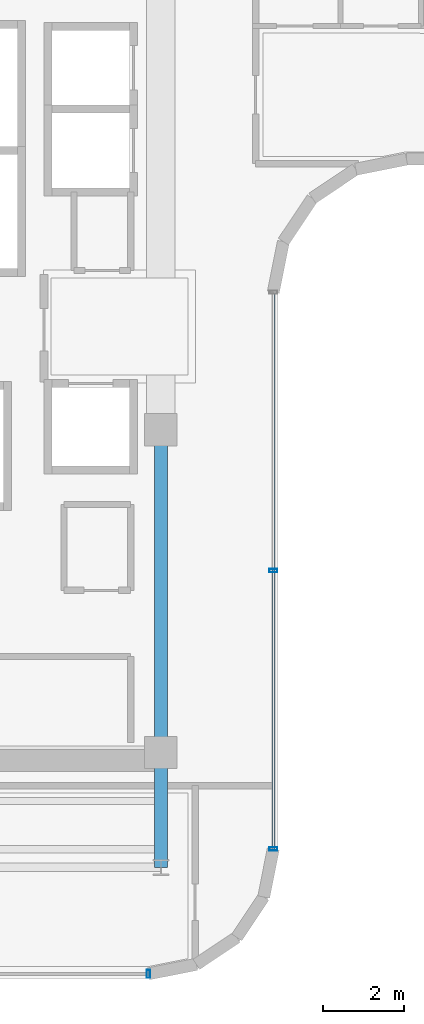
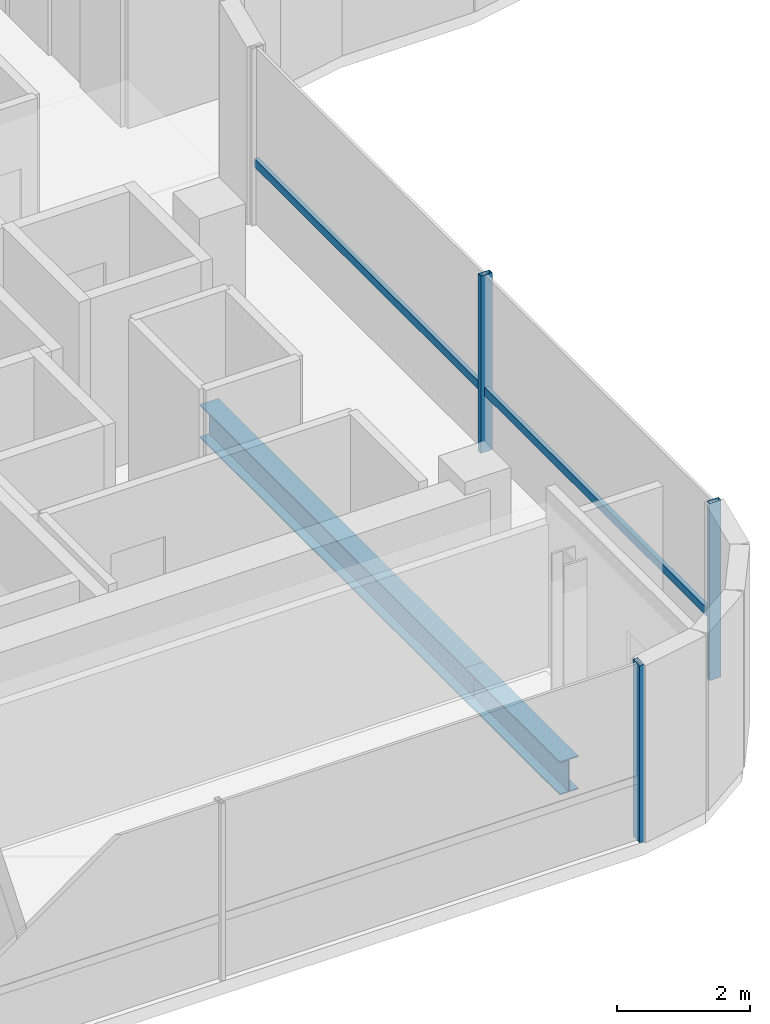
# One storey, part 5 of 19: 4 members, 2 beams, 2 elements without a shape of their own.
"""IFC4 building model written with IfcOpenShell, lengths in metres."""

from ifc_helpers import new_model, si_unit, direction, frame, origin, origin_2d, place, context, subcontext, project, spatial, hollow_rectangle, i_section, extrude, source, transform, mapped, material, material_profile, profile_set, type_object, element, aggregate, save


model = new_model("IFC4")

# Units and contexts
model_context = context("Model", 3, precision=1e-05, world=origin(), true_north=direction((0.0, 1.0)))
body_context = subcontext(model_context, "Body", "Model", "MODEL_VIEW")
ifc_project = project(units=[si_unit("LENGTHUNIT", "METRE"), si_unit("AREAUNIT", "SQUARE_METRE"), si_unit("VOLUMEUNIT", "CUBIC_METRE"), si_unit("PLANEANGLEUNIT", "RADIAN"), si_unit("MASSUNIT", "GRAM", prefix="KILO")], contexts=[model_context])

# Site, building, storey
site_placement = place(None, origin())
site = spatial("IfcSite", under=ifc_project, at=site_placement, CompositionType="ELEMENT")
building_placement = place(site_placement, origin())
building = spatial("IfcBuilding", under=site, at=building_placement, Name="Valdorenza Pilgrim Sanctuary Tower", CompositionType="ELEMENT")
storey_placement = place(building_placement, frame((0.0, 0.0, 269.5)))
storey = spatial("IfcBuildingStorey", under=building, at=storey_placement, Name="L70", CompositionType="ELEMENT", Elevation=269.5)

# Beams
ifc_material_1 = material(Name="Steel ASTM A992 Grade 50", Category="steel")
ifc_material_profile_1 = material_profile(ifc_material_1, i_section(OverallWidth=0.323974609375, OverallDepth=0.611083984375, WebThickness=0.0126953125, FlangeThickness=0.01904296875, at=origin_2d()), Name="W24X104")
ifc_profile_set_1 = profile_set([ifc_material_profile_1], Name="Steel ASTM A992 Grade 50")
beam_type = type_object("IfcBeamType", Name="STR-BM-GRD-W24B", PredefinedType="BEAM", material=ifc_profile_set_1)
shared_shape_1 = source(origin(), body_context, "Body", "SweptSolid", [
    extrude(i_section(OverallWidth=0.323974609375, OverallDepth=0.611083984375, WebThickness=0.0126953125, FlangeThickness=0.01904296875, at=origin_2d()), origin(), (0.0, 0.0, 1.0), 8.0),
])
beam_1_placement = place(storey_placement, frame((-12.39990234375, -10.60009765625, -0.54541015625), z_axis=(0.0, 1.0, 0.0), x_axis=(-1.0, 0.0, 0.0)))
element("IfcBeam", 1, at=beam_1_placement, inside=storey, type_object=beam_type, Name="L70 Core Tie Girder CA-E-S1M0", PredefinedType="BEAM", context=body_context, shape_type="MappedRepresentation", body=[
    mapped(shared_shape_1, transform((0.0, 0.0, 0.0), x_axis=(1.0, 0.0, 0.0), y_axis=(0.0, 1.0, 0.0), z_axis=(0.0, 0.0, 1.0), scale=1.0)),
])
shared_shape_2 = source(origin(), body_context, "Body", "SweptSolid", [
    extrude(i_section(OverallWidth=0.323974609375, OverallDepth=0.611083984375, WebThickness=0.0126953125, FlangeThickness=0.01904296875, at=origin_2d()), origin(), (0.0, 0.0, 1.0), 2.849853515625),
])
beam_2_placement = place(storey_placement, frame((-12.39990234375, -13.449951171875, -0.54541015625), z_axis=(0.0, 1.0, 0.0), x_axis=(-1.0, 0.0, 0.0)))
element("IfcBeam", 2, at=beam_2_placement, inside=storey, type_object=beam_type, Name="L70 Floor Girder WA-S-LE", PredefinedType="BEAM", context=body_context, shape_type="MappedRepresentation", body=[
    mapped(shared_shape_2, transform((0.0, 0.0, 0.0), x_axis=(1.0, 0.0, 0.0), y_axis=(0.0, 1.0, 0.0), z_axis=(0.0, 0.0, 1.0), scale=1.0)),
])

# Curtain wall, members
ifc_material_2 = material(Name="Curtain-wall IGU glazing", Category="glass")
curtain_wall_type = type_object("IfcCurtainWallType", Name="CW-SYS-02", PredefinedType="NOTDEFINED", material=ifc_material_2)
curtain_wall_1_placement = place(storey_placement, origin())
curtain_wall_1 = element("IfcCurtainWall", 3, at=curtain_wall_1_placement, inside=storey, type_object=curtain_wall_type, Name="L70 Curtain Wall CW-L70-1-21", PredefinedType="NOTDEFINED")
ifc_material_3 = material(Name="Anodised aluminium AW-6060", Category="aluminium")
ifc_material_profile_2 = material_profile(ifc_material_3, hollow_rectangle(XDim=0.0849609375, YDim=0.199951171875, WallThickness=0.0048828125, at=origin_2d()), Name="ALU-M 200x85x5")
ifc_profile_set_2 = profile_set([ifc_material_profile_2], Name="Anodised aluminium AW-6060")
member_type_1 = type_object("IfcMemberType", Name="CW-MUL-02", PredefinedType="MULLION", material=ifc_profile_set_2)
shared_shape_3 = source(origin(), body_context, "Body", "SweptSolid", [
    extrude(hollow_rectangle(XDim=0.0849609375, YDim=0.199951171875, WallThickness=0.0048828125, at=origin_2d()), origin(), (0.0, 0.0, 1.0), 3.260009765625),
])
member_1_placement = place(storey_placement, frame((-9.610107421875, -6.089111328125, 0.0), z_axis=(0.0, 0.0, 1.0), x_axis=(0.0, -1.0, 0.0)))
member_1 = element("IfcMember", 4, at=member_1_placement, type_object=member_type_1, Name="CW-L70-1-21 Mullion 2", PredefinedType="MULLION", context=body_context, shape_type="MappedRepresentation", body=[
    mapped(shared_shape_3, transform((0.0, 0.0, 0.0), x_axis=(1.0, 0.0, 0.0), y_axis=(0.0, 1.0, 0.0), z_axis=(0.0, 0.0, 1.0), scale=1.0)),
])
member_2_placement = place(storey_placement, frame((-9.610107421875, -12.9892578125, 0.0), z_axis=(0.0, 0.0, 1.0), x_axis=(0.0, -1.0, 0.0)))
member_2 = element("IfcMember", 5, at=member_2_placement, type_object=member_type_1, Name="CW-L70-1-21 Mullion 3", PredefinedType="MULLION", context=body_context, shape_type="MappedRepresentation", body=[
    mapped(shared_shape_3, transform((0.0, 0.0, 0.0), x_axis=(1.0, 0.0, 0.0), y_axis=(0.0, 1.0, 0.0), z_axis=(0.0, 0.0, 1.0), scale=1.0)),
])

# Curtain wall, member
curtain_wall_2_placement = place(storey_placement, origin())
curtain_wall_2 = element("IfcCurtainWall", 6, at=curtain_wall_2_placement, inside=storey, type_object=curtain_wall_type, Name="L70 Curtain Wall CW-L70-1-26", PredefinedType="NOTDEFINED")
member_3_placement = place(storey_placement, frame((-12.710693359375, -16.090087890625, 0.0), z_axis=(0.0, 0.0, 1.0), x_axis=(-1.0, 0.0, 0.0)))
member_3 = element("IfcMember", 7, at=member_3_placement, type_object=member_type_1, Name="CW-L70-1-26 Mullion 1", PredefinedType="MULLION", context=body_context, shape_type="MappedRepresentation", body=[
    mapped(shared_shape_3, transform((0.0, 0.0, 0.0), x_axis=(1.0, 0.0, 0.0), y_axis=(0.0, 1.0, 0.0), z_axis=(0.0, 0.0, 1.0), scale=1.0)),
])
aggregate(curtain_wall_2, [member_3])

# Member
ifc_material_profile_3 = material_profile(ifc_material_3, hollow_rectangle(XDim=0.074951171875, YDim=0.14990234375, WallThickness=0.00390625, at=origin_2d()), Name="ALU-T 150x75x4")
ifc_profile_set_3 = profile_set([ifc_material_profile_3], Name="Anodised aluminium AW-6060")
member_type_2 = type_object("IfcMemberType", Name="CW-TRN-02", PredefinedType="USERDEFINED", material=ifc_profile_set_3)
shared_shape_4 = source(origin(), body_context, "Body", "SweptSolid", [
    extrude(hollow_rectangle(XDim=0.074951171875, YDim=0.14990234375, WallThickness=0.00390625, at=origin_2d()), origin(), (0.0, 0.0, 1.0), 13.800048828125),
])
member_4_placement = place(storey_placement, frame((-9.610107421875, 0.810791015625, 1.1201171875), z_axis=(0.0, -1.0, 0.0), x_axis=(1.0, 0.0, 0.0)))
member_4 = element("IfcMember", 8, at=member_4_placement, type_object=member_type_2, Name="CW-L70-1-21 Transom 1", ObjectType="TRANSOM", PredefinedType="USERDEFINED", context=body_context, shape_type="MappedRepresentation", body=[
    mapped(shared_shape_4, transform((0.0, 0.0, 0.0), x_axis=(1.0, 0.0, 0.0), y_axis=(0.0, 1.0, 0.0), z_axis=(0.0, 0.0, 1.0), scale=1.0)),
])

aggregate(curtain_wall_1, [member_1, member_2, member_4])

save(model, "model.ifc")
